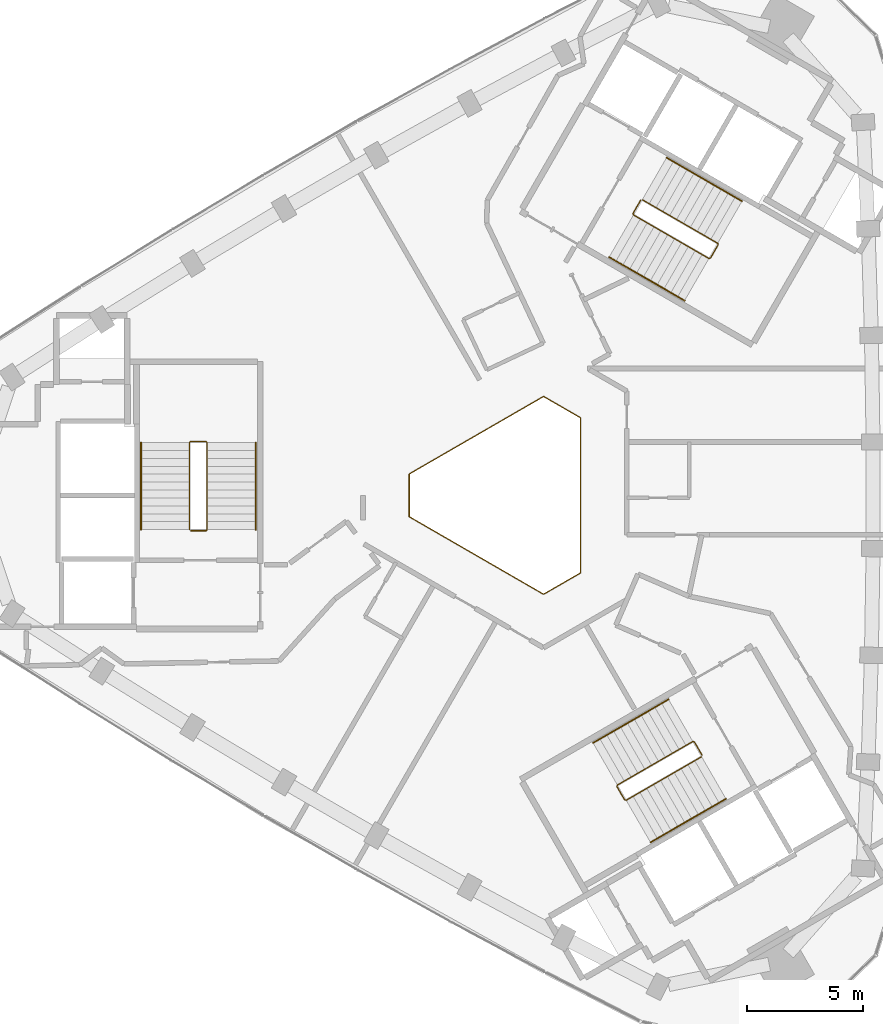
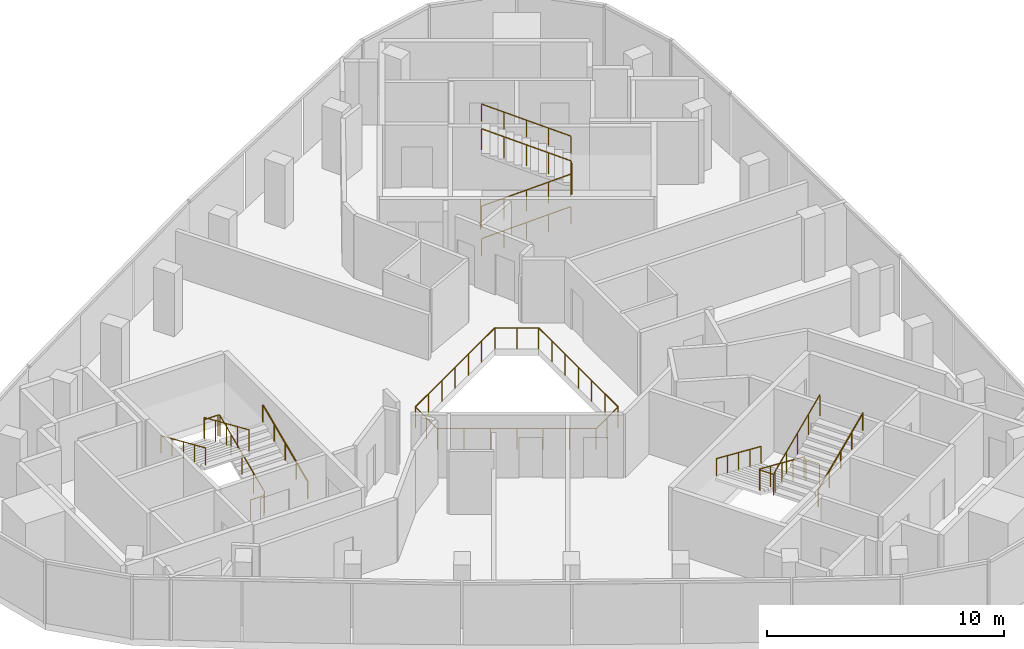
# One storey, part 10 of 10: 10 railings.
"""IFC4 building model written with IfcOpenShell, lengths in metres."""

from ifc_helpers import new_model, si_unit, direction, frame, origin, origin_2d, place, context, subcontext, project, spatial, circle, extrude, material, type_object, element, save


model = new_model("IFC4")

# Units and contexts
model_context = context("Model", 3, precision=1e-05, world=origin(), true_north=direction((0.0, 1.0)))
body_context = subcontext(model_context, "Body", "Model", "MODEL_VIEW")
ifc_project = project(units=[si_unit("LENGTHUNIT", "METRE"), si_unit("AREAUNIT", "SQUARE_METRE"), si_unit("VOLUMEUNIT", "CUBIC_METRE"), si_unit("PLANEANGLEUNIT", "RADIAN"), si_unit("MASSUNIT", "GRAM", prefix="KILO")], contexts=[model_context])

# Site, building, storey
site_placement = place(None, origin())
site = spatial("IfcSite", under=ifc_project, at=site_placement, CompositionType="ELEMENT")
building_placement = place(site_placement, origin())
building = spatial("IfcBuilding", under=site, at=building_placement, Name="Tamra Quay Hotel Tower", CompositionType="ELEMENT")
storey_placement = place(building_placement, frame((0.0, 0.0, 265.800048828125)))
storey = spatial("IfcBuildingStorey", under=building, at=storey_placement, Name="L67", CompositionType="ELEMENT", Elevation=265.800048828125)

# Railings
ifc_material_1 = material(Name="Guard atrium edge 1100")
railing_type_1 = type_object("IfcRailingType", Name="Guard atrium edge 1100", PredefinedType="GUARDRAIL", material=ifc_material_1)
railing_1_placement = place(storey_placement, frame((3.0, -3.34912109375, 0.0)))
element("IfcRailing", 1, at=railing_1_placement, inside=storey, type_object=railing_type_1, Name="G-A", PredefinedType="GUARDRAIL", context=body_context, shape_type="SweptSolid", body=[
    extrude(circle(Radius=0.02392578125, at=origin_2d()), frame((0.0, 0.0, 1.076171875), z_axis=(-0.866251590862, -0.499608027687, 0.0), x_axis=(0.499608027687, -0.866251590862, 0.0)), (0.0, 0.0, 1.0), 1.84716796875),
    extrude(circle(Radius=0.02392578125, at=origin_2d()), frame((-1.60009765625, -0.9228515625, 1.076171875), z_axis=(-0.866065387416, 0.499930739924, 0.0), x_axis=(-0.499930739924, -0.866065387416, 0.0)), (0.0, 0.0, 1.0), 6.69677734375),
    extrude(circle(Radius=0.02392578125, at=origin_2d()), frame((-7.39990234375, 2.425048828125, 1.076171875), z_axis=(0.0, 1.0, 0.0), x_axis=(-1.0, 0.0, 0.0)), (0.0, 0.0, 1.0), 1.84814453125),
    extrude(circle(Radius=0.02392578125, at=origin_2d()), frame((-7.39990234375, 4.273193359375, 1.076171875), z_axis=(0.866065387416, 0.499930739924, 0.0), x_axis=(-0.499930739924, 0.866065387416, 0.0)), (0.0, 0.0, 1.0), 6.69677734375),
    extrude(circle(Radius=0.02392578125, at=origin_2d()), frame((-1.60009765625, 7.62109375, 1.076171875), z_axis=(0.866251590862, -0.499608027687, 0.0), x_axis=(0.499608027687, 0.866251590862, 0.0)), (0.0, 0.0, 1.0), 1.84716796875),
    extrude(circle(Radius=0.02392578125, at=origin_2d()), frame((0.0, 6.6982421875, 1.076171875), z_axis=(0.0, -1.0, 0.0), x_axis=(1.0, 0.0, 0.0)), (0.0, 0.0, 1.0), 6.6982421875),
    extrude(circle(Radius=0.02099609375, at=origin_2d()), origin(), (0.0, 0.0, 1.0), 1.052001953125),
    extrude(circle(Radius=0.02099609375, at=origin_2d()), frame((-0.800048828125, -0.46142578125, 0.0)), (0.0, 0.0, 1.0), 1.052001953125),
    extrude(circle(Radius=0.02099609375, at=origin_2d()), frame((-1.60009765625, -0.9228515625, 0.0)), (0.0, 0.0, 1.0), 1.052001953125),
    extrude(circle(Radius=0.02099609375, at=origin_2d()), frame((-2.566650390625, -0.36474609375, 0.0)), (0.0, 0.0, 1.0), 1.052001953125),
    extrude(circle(Radius=0.02099609375, at=origin_2d()), frame((-3.533447265625, 0.193115234375, 0.0)), (0.0, 0.0, 1.0), 1.052001953125),
    extrude(circle(Radius=0.02099609375, at=origin_2d()), frame((-4.5, 0.7509765625, 0.0)), (0.0, 0.0, 1.0), 1.052001953125),
    extrude(circle(Radius=0.02099609375, at=origin_2d()), frame((-5.466552734375, 1.30908203125, 0.0)), (0.0, 0.0, 1.0), 1.052001953125),
    extrude(circle(Radius=0.02099609375, at=origin_2d()), frame((-6.433349609375, 1.8671875, 0.0)), (0.0, 0.0, 1.0), 1.052001953125),
    extrude(circle(Radius=0.02099609375, at=origin_2d()), frame((-7.39990234375, 2.425048828125, 0.0)), (0.0, 0.0, 1.0), 1.052001953125),
    extrude(circle(Radius=0.02099609375, at=origin_2d()), frame((-7.39990234375, 3.34912109375, 0.0)), (0.0, 0.0, 1.0), 1.052001953125),
    extrude(circle(Radius=0.02099609375, at=origin_2d()), frame((-7.39990234375, 4.273193359375, 0.0)), (0.0, 0.0, 1.0), 1.052001953125),
    extrude(circle(Radius=0.02099609375, at=origin_2d()), frame((-6.433349609375, 4.8310546875, 0.0)), (0.0, 0.0, 1.0), 1.052001953125),
    extrude(circle(Radius=0.02099609375, at=origin_2d()), frame((-5.466552734375, 5.38916015625, 0.0)), (0.0, 0.0, 1.0), 1.052001953125),
    extrude(circle(Radius=0.02099609375, at=origin_2d()), frame((-4.5, 5.947265625, 0.0)), (0.0, 0.0, 1.0), 1.052001953125),
    extrude(circle(Radius=0.02099609375, at=origin_2d()), frame((-3.533447265625, 6.505126953125, 0.0)), (0.0, 0.0, 1.0), 1.052001953125),
    extrude(circle(Radius=0.02099609375, at=origin_2d()), frame((-2.566650390625, 7.06298828125, 0.0)), (0.0, 0.0, 1.0), 1.052001953125),
    extrude(circle(Radius=0.02099609375, at=origin_2d()), frame((-1.60009765625, 7.62109375, 0.0)), (0.0, 0.0, 1.0), 1.052001953125),
    extrude(circle(Radius=0.02099609375, at=origin_2d()), frame((-0.800048828125, 7.15966796875, 0.0)), (0.0, 0.0, 1.0), 1.052001953125),
    extrude(circle(Radius=0.02099609375, at=origin_2d()), frame((0.0, 6.6982421875, 0.0)), (0.0, 0.0, 1.0), 1.052001953125),
    extrude(circle(Radius=0.02099609375, at=origin_2d()), frame((0.0, 5.581787109375, 0.0)), (0.0, 0.0, 1.0), 1.052001953125),
    extrude(circle(Radius=0.02099609375, at=origin_2d()), frame((0.0, 4.465576171875, 0.0)), (0.0, 0.0, 1.0), 1.052001953125),
    extrude(circle(Radius=0.02099609375, at=origin_2d()), frame((0.0, 3.34912109375, 0.0)), (0.0, 0.0, 1.0), 1.052001953125),
    extrude(circle(Radius=0.02099609375, at=origin_2d()), frame((0.0, 2.232666015625, 0.0)), (0.0, 0.0, 1.0), 1.052001953125),
    extrude(circle(Radius=0.02099609375, at=origin_2d()), frame((0.0, 1.116455078125, 0.0)), (0.0, 0.0, 1.0), 1.052001953125),
])
ifc_material_2 = material(Name="Stair guard 1100")
railing_type_2 = type_object("IfcRailingType", Name="Stair guard 1100", PredefinedType="GUARDRAIL", material=ifc_material_2)
railing_2_placement = place(storey_placement, frame((-13.84130859375, -1.530029296875, 0.0)))
element("IfcRailing", 2, at=railing_2_placement, inside=storey, type_object=railing_type_2, Name="GR", PredefinedType="GUARDRAIL", context=body_context, shape_type="SweptSolid", body=[
    extrude(circle(Radius=0.02392578125, at=origin_2d()), frame((0.0, 0.0, 1.076171875), z_axis=(1.0, 0.0, 0.0), x_axis=(0.0, 1.0, 0.0)), (0.0, 0.0, 1.0), 0.658935546875),
    extrude(circle(Radius=0.02392578125, at=origin_2d()), frame((0.658935546875, 0.0, 1.076171875), z_axis=(0.301912943143, 0.301912943143, 0.904266083366), x_axis=(-0.707106781187, 0.707106781187, 0.0)), (0.0, 0.0, 1.0), 0.165771484375),
    extrude(circle(Radius=0.02392578125, at=origin_2d()), frame((0.708984375, 0.050048828125, 1.22607421875), z_axis=(0.0, 0.915773634228, 0.401694723457), x_axis=(-1.0, 0.0, 0.0)), (0.0, 0.0, 1.0), 4.10791015625),
    extrude(circle(Radius=0.02392578125, at=origin_2d()), frame((0.708984375, 3.81201171875, 2.8759765625), z_axis=(-0.708833529934, 0.705375805398, 0.0), x_axis=(-0.705375805398, -0.708833529934, 0.0)), (0.0, 0.0, 1.0), 0.070556640625),
    extrude(circle(Radius=0.02392578125, at=origin_2d()), frame((0.658935546875, 3.86181640625, 2.8759765625), z_axis=(-1.0, 0.0, 0.0), x_axis=(0.0, -1.0, 0.0)), (0.0, 0.0, 1.0), 0.658935546875),
    extrude(circle(Radius=0.02392578125, at=origin_2d()), frame((0.0, 3.86181640625, 2.8759765625), z_axis=(-0.302046947789, -0.300573548044, 0.904667443621), x_axis=(0.705375805398, -0.708833529934, 0.0)), (0.0, 0.0, 1.0), 0.165771484375),
    extrude(circle(Radius=0.02392578125, at=origin_2d()), frame((-0.050048828125, 3.81201171875, 3.02587890625), z_axis=(0.0, -0.915795495799, 0.401644880304), x_axis=(1.0, 0.0, 0.0)), (0.0, 0.0, 1.0), 4.10791015625),
    extrude(circle(Radius=0.02099609375, at=origin_2d()), origin(), (0.0, 0.0, 1.0), 1.052001953125),
    extrude(circle(Radius=0.02099609375, at=origin_2d()), frame((0.658935546875, 0.0, 0.0)), (0.0, 0.0, 1.0), 1.052001953125),
    extrude(circle(Radius=0.02099609375, at=origin_2d()), frame((0.708984375, 0.050048828125, 0.14990234375)), (0.0, 0.0, 1.0), 1.052001953125),
    extrude(circle(Radius=0.02099609375, at=origin_2d()), frame((0.708984375, 0.990478515625, 0.5625)), (0.0, 0.0, 1.0), 1.052001953125),
    extrude(circle(Radius=0.02099609375, at=origin_2d()), frame((0.708984375, 1.93115234375, 0.97509765625)), (0.0, 0.0, 1.0), 1.052001953125),
    extrude(circle(Radius=0.02099609375, at=origin_2d()), frame((0.708984375, 2.87158203125, 1.387451171875)), (0.0, 0.0, 1.0), 1.052001953125),
    extrude(circle(Radius=0.02099609375, at=origin_2d()), frame((0.708984375, 3.81201171875, 1.800048828125)), (0.0, 0.0, 1.0), 1.052001953125),
    extrude(circle(Radius=0.02099609375, at=origin_2d()), frame((0.658935546875, 3.86181640625, 1.800048828125)), (0.0, 0.0, 1.0), 1.052001953125),
    extrude(circle(Radius=0.02099609375, at=origin_2d()), frame((0.0, 3.86181640625, 1.800048828125)), (0.0, 0.0, 1.0), 1.052001953125),
    extrude(circle(Radius=0.02099609375, at=origin_2d()), frame((-0.050048828125, 3.81201171875, 1.949951171875)), (0.0, 0.0, 1.0), 1.052001953125),
    extrude(circle(Radius=0.02099609375, at=origin_2d()), frame((-0.050048828125, 2.87158203125, 2.3623046875)), (0.0, 0.0, 1.0), 1.052001953125),
    extrude(circle(Radius=0.02099609375, at=origin_2d()), frame((-0.050048828125, 1.93115234375, 2.77490234375)), (0.0, 0.0, 1.0), 1.052001953125),
    extrude(circle(Radius=0.02099609375, at=origin_2d()), frame((-0.050048828125, 0.990478515625, 3.1875)), (0.0, 0.0, 1.0), 1.052001953125),
    extrude(circle(Radius=0.02099609375, at=origin_2d()), frame((-0.050048828125, 0.050048828125, 3.599853515625)), (0.0, 0.0, 1.0), 1.052001953125),
])
railing_3_placement = place(storey_placement, frame((5.595458984375, 12.751953125, 0.0)))
element("IfcRailing", 3, at=railing_3_placement, inside=storey, type_object=railing_type_2, Name="GR", PredefinedType="GUARDRAIL", context=body_context, shape_type="SweptSolid", body=[
    extrude(circle(Radius=0.02392578125, at=origin_2d()), frame((0.0, 0.0, 1.076171875), z_axis=(-0.499765215335, -0.866160914346, 0.0), x_axis=(0.866160914346, -0.499765215335, 0.0)), (0.0, 0.0, 1.0), 0.658935546875),
    extrude(circle(Radius=0.02392578125, at=origin_2d()), frame((-0.329345703125, -0.57080078125, 1.076171875), z_axis=(0.110525977783, -0.411156637351, 0.904839338113), x_axis=(0.965715946433, 0.259601060869, 0.0)), (0.0, 0.0, 1.0), 0.165771484375),
    extrude(circle(Radius=0.02392578125, at=origin_2d()), frame((-0.31103515625, -0.638916015625, 1.22607421875), z_axis=(0.79305953016, -0.457922937641, 0.401700342053), x_axis=(0.500040788363, 0.866001853331, 0.0)), (0.0, 0.0, 1.0), 4.10791015625),
    extrude(circle(Radius=0.02392578125, at=origin_2d()), frame((2.94677734375, -2.52001953125, 2.8759765625), z_axis=(0.965948051503, 0.258736085224, 0.0), x_axis=(-0.258736085224, 0.965948051503, 0.0)), (0.0, 0.0, 1.0), 0.07080078125),
    extrude(circle(Radius=0.02392578125, at=origin_2d()), frame((3.01513671875, -2.501708984375, 2.8759765625), z_axis=(0.500043078269, 0.866000531106, 0.0), x_axis=(-0.866000531106, 0.500043078269, 0.0)), (0.0, 0.0, 1.0), 0.6591796875),
    extrude(circle(Radius=0.02392578125, at=origin_2d()), frame((3.3447265625, -1.930908203125, 2.8759765625), z_axis=(-0.110525977783, 0.411156637351, 0.904839338113), x_axis=(-0.965715946433, -0.259601060869, 0.0)), (0.0, 0.0, 1.0), 0.165771484375),
    extrude(circle(Radius=0.02392578125, at=origin_2d()), frame((3.326416015625, -1.86279296875, 3.02587890625), z_axis=(-0.793100512587, 0.457912285461, 0.401631567183), x_axis=(-0.500012686397, -0.866018079166, 0.0)), (0.0, 0.0, 1.0), 4.10791015625),
    extrude(circle(Radius=0.02099609375, at=origin_2d()), origin(), (0.0, 0.0, 1.0), 1.052001953125),
    extrude(circle(Radius=0.02099609375, at=origin_2d()), frame((-0.329345703125, -0.57080078125, 0.0)), (0.0, 0.0, 1.0), 1.052001953125),
    extrude(circle(Radius=0.02099609375, at=origin_2d()), frame((-0.31103515625, -0.638916015625, 0.14990234375)), (0.0, 0.0, 1.0), 1.052001953125),
    extrude(circle(Radius=0.02099609375, at=origin_2d()), frame((0.50341796875, -1.109130859375, 0.5625)), (0.0, 0.0, 1.0), 1.052001953125),
    extrude(circle(Radius=0.02099609375, at=origin_2d()), frame((1.31787109375, -1.57958984375, 0.97509765625)), (0.0, 0.0, 1.0), 1.052001953125),
    extrude(circle(Radius=0.02099609375, at=origin_2d()), frame((2.13232421875, -2.0498046875, 1.387451171875)), (0.0, 0.0, 1.0), 1.052001953125),
    extrude(circle(Radius=0.02099609375, at=origin_2d()), frame((2.94677734375, -2.52001953125, 1.800048828125)), (0.0, 0.0, 1.0), 1.052001953125),
    extrude(circle(Radius=0.02099609375, at=origin_2d()), frame((3.01513671875, -2.501708984375, 1.800048828125)), (0.0, 0.0, 1.0), 1.052001953125),
    extrude(circle(Radius=0.02099609375, at=origin_2d()), frame((3.3447265625, -1.930908203125, 1.800048828125)), (0.0, 0.0, 1.0), 1.052001953125),
    extrude(circle(Radius=0.02099609375, at=origin_2d()), frame((3.326416015625, -1.86279296875, 1.949951171875)), (0.0, 0.0, 1.0), 1.052001953125),
    extrude(circle(Radius=0.02099609375, at=origin_2d()), frame((2.511962890625, -1.392578125, 2.3623046875)), (0.0, 0.0, 1.0), 1.052001953125),
    extrude(circle(Radius=0.02099609375, at=origin_2d()), frame((1.697265625, -0.92236328125, 2.77490234375)), (0.0, 0.0, 1.0), 1.052001953125),
    extrude(circle(Radius=0.02099609375, at=origin_2d()), frame((0.8828125, -0.451904296875, 3.1875)), (0.0, 0.0, 1.0), 1.052001953125),
    extrude(circle(Radius=0.02099609375, at=origin_2d()), frame((0.068359375, 0.018310546875, 3.599853515625)), (0.0, 0.0, 1.0), 1.052001953125),
])
railing_4_placement = place(storey_placement, frame((8.245849609375, -11.221923828125, 0.0)))
element("IfcRailing", 4, at=railing_4_placement, inside=storey, type_object=railing_type_2, Name="GR", PredefinedType="GUARDRAIL", context=body_context, shape_type="SweptSolid", body=[
    extrude(circle(Radius=0.02392578125, at=origin_2d()), frame((0.0, 0.0, 1.076171875), z_axis=(-0.500043078269, 0.866000531106, 0.0), x_axis=(-0.866000531106, -0.500043078269, 0.0)), (0.0, 0.0, 1.0), 0.6591796875),
    extrude(circle(Radius=0.02392578125, at=origin_2d()), frame((-0.32958984375, 0.57080078125, 1.076171875), z_axis=(-0.41238007866, 0.110458949641, 0.904290601062), x_axis=(-0.258736085224, -0.965948051503, 0.0)), (0.0, 0.0, 1.0), 0.165771484375),
    extrude(circle(Radius=0.02392578125, at=origin_2d()), frame((-0.39794921875, 0.589111328125, 1.22607421875), z_axis=(-0.793081581205, -0.457901355053, 0.401681409319), x_axis=(0.500012686397, -0.866018079166, 0.0)), (0.0, 0.0, 1.0), 4.108154296875),
    extrude(circle(Radius=0.02392578125, at=origin_2d()), frame((-3.656005859375, -1.2919921875, 2.8759765625), z_axis=(-0.256368644879, -0.966579080015, 0.0), x_axis=(0.966579080015, -0.256368644879, 0.0)), (0.0, 0.0, 1.0), 0.070556640625),
    extrude(circle(Radius=0.02392578125, at=origin_2d()), frame((-3.674072265625, -1.360107421875, 2.8759765625), z_axis=(0.499765215335, -0.866160914346, 0.0), x_axis=(0.866160914346, 0.499765215335, 0.0)), (0.0, 0.0, 1.0), 0.658935546875),
    extrude(circle(Radius=0.02392578125, at=origin_2d()), frame((-3.3447265625, -1.930908203125, 2.8759765625), z_axis=(0.41238007866, -0.110458949641, 0.904290601062), x_axis=(0.258736085224, 0.965948051503, 0.0)), (0.0, 0.0, 1.0), 0.165771484375),
    extrude(circle(Radius=0.02392578125, at=origin_2d()), frame((-3.2763671875, -1.94921875, 3.02587890625), z_axis=(0.793100512587, 0.457912285461, 0.401631567183), x_axis=(-0.500012686397, 0.866018079166, 0.0)), (0.0, 0.0, 1.0), 4.10791015625),
    extrude(circle(Radius=0.02099609375, at=origin_2d()), origin(), (0.0, 0.0, 1.0), 1.052001953125),
    extrude(circle(Radius=0.02099609375, at=origin_2d()), frame((-0.32958984375, 0.57080078125, 0.0)), (0.0, 0.0, 1.0), 1.052001953125),
    extrude(circle(Radius=0.02099609375, at=origin_2d()), frame((-0.39794921875, 0.589111328125, 0.14990234375)), (0.0, 0.0, 1.0), 1.052001953125),
    extrude(circle(Radius=0.02099609375, at=origin_2d()), frame((-1.21240234375, 0.118896484375, 0.5625)), (0.0, 0.0, 1.0), 1.052001953125),
    extrude(circle(Radius=0.02099609375, at=origin_2d()), frame((-2.02685546875, -0.3515625, 0.97509765625)), (0.0, 0.0, 1.0), 1.052001953125),
    extrude(circle(Radius=0.02099609375, at=origin_2d()), frame((-2.841552734375, -0.82177734375, 1.387451171875)), (0.0, 0.0, 1.0), 1.052001953125),
    extrude(circle(Radius=0.02099609375, at=origin_2d()), frame((-3.656005859375, -1.2919921875, 1.800048828125)), (0.0, 0.0, 1.0), 1.052001953125),
    extrude(circle(Radius=0.02099609375, at=origin_2d()), frame((-3.674072265625, -1.360107421875, 1.800048828125)), (0.0, 0.0, 1.0), 1.052001953125),
    extrude(circle(Radius=0.02099609375, at=origin_2d()), frame((-3.3447265625, -1.930908203125, 1.800048828125)), (0.0, 0.0, 1.0), 1.052001953125),
    extrude(circle(Radius=0.02099609375, at=origin_2d()), frame((-3.2763671875, -1.94921875, 1.949951171875)), (0.0, 0.0, 1.0), 1.052001953125),
    extrude(circle(Radius=0.02099609375, at=origin_2d()), frame((-2.4619140625, -1.47900390625, 2.3623046875)), (0.0, 0.0, 1.0), 1.052001953125),
    extrude(circle(Radius=0.02099609375, at=origin_2d()), frame((-1.6474609375, -1.0087890625, 2.77490234375)), (0.0, 0.0, 1.0), 1.052001953125),
    extrude(circle(Radius=0.02099609375, at=origin_2d()), frame((-0.832763671875, -0.538330078125, 3.1875)), (0.0, 0.0, 1.0), 1.052001953125),
    extrude(circle(Radius=0.02099609375, at=origin_2d()), frame((-0.018310546875, -0.068115234375, 3.599853515625)), (0.0, 0.0, 1.0), 1.052001953125),
])
ifc_material_3 = material(Name="Stair handrail 900")
railing_type_3 = type_object("IfcRailingType", Name="Stair handrail 900", PredefinedType="HANDRAIL", material=ifc_material_3)
railing_5_placement = place(storey_placement, frame((-11.0322265625, -1.47998046875, 0.14990234375)))
element("IfcRailing", 5, at=railing_5_placement, inside=storey, type_object=railing_type_3, Name="HR", PredefinedType="HANDRAIL", context=body_context, shape_type="SweptSolid", body=[
    extrude(circle(Radius=0.02392578125, at=origin_2d()), frame((0.0, 0.0, 0.8759765625), z_axis=(0.0, 0.915773634228, 0.401694723457), x_axis=(-1.0, 0.0, 0.0)), (0.0, 0.0, 1.0), 4.10791015625),
    extrude(circle(Radius=0.02099609375, at=origin_2d()), origin(), (0.0, 0.0, 1.0), 0.851806640625),
    extrude(circle(Radius=0.02099609375, at=origin_2d()), frame((0.0, 0.9404296875, 0.41259765625)), (0.0, 0.0, 1.0), 0.851806640625),
    extrude(circle(Radius=0.02099609375, at=origin_2d()), frame((0.0, 1.880859375, 0.8251953125)), (0.0, 0.0, 1.0), 0.851806640625),
    extrude(circle(Radius=0.02099609375, at=origin_2d()), frame((0.0, 2.821533203125, 1.237548828125)), (0.0, 0.0, 1.0), 0.851806640625),
    extrude(circle(Radius=0.02099609375, at=origin_2d()), frame((0.0, 3.761962890625, 1.650146484375)), (0.0, 0.0, 1.0), 0.851806640625),
])
railing_6_placement = place(storey_placement, frame((-15.9912109375, 2.281982421875, 1.949951171875)))
element("IfcRailing", 6, at=railing_6_placement, inside=storey, type_object=railing_type_3, Name="HR", PredefinedType="HANDRAIL", context=body_context, shape_type="SweptSolid", body=[
    extrude(circle(Radius=0.02392578125, at=origin_2d()), frame((0.0, 0.0, 0.8759765625), z_axis=(0.0, -0.915795495799, 0.401644880304), x_axis=(1.0, 0.0, 0.0)), (0.0, 0.0, 1.0), 4.10791015625),
    extrude(circle(Radius=0.02099609375, at=origin_2d()), origin(), (0.0, 0.0, 1.0), 0.851806640625),
    extrude(circle(Radius=0.02099609375, at=origin_2d()), frame((0.0, -0.9404296875, 0.41259765625)), (0.0, 0.0, 1.0), 0.851806640625),
    extrude(circle(Radius=0.02099609375, at=origin_2d()), frame((0.0, -1.880859375, 0.824951171875)), (0.0, 0.0, 1.0), 0.851806640625),
    extrude(circle(Radius=0.02099609375, at=origin_2d()), frame((0.0, -2.821533203125, 1.2373046875)), (0.0, 0.0, 1.0), 0.851806640625),
    extrude(circle(Radius=0.02099609375, at=origin_2d()), frame((0.0, -3.761962890625, 1.64990234375)), (0.0, 0.0, 1.0), 0.851806640625),
])
railing_7_placement = place(storey_placement, frame((4.234375, 10.294189453125, 0.14990234375)))
element("IfcRailing", 7, at=railing_7_placement, inside=storey, type_object=railing_type_3, Name="HR", PredefinedType="HANDRAIL", context=body_context, shape_type="SweptSolid", body=[
    extrude(circle(Radius=0.02392578125, at=origin_2d()), frame((0.0, 0.0, 0.8759765625), z_axis=(0.793103162556, -0.457854384738, 0.401692339881), x_axis=(0.499964013922, 0.86604617936, 0.0)), (0.0, 0.0, 1.0), 4.10791015625),
    extrude(circle(Radius=0.02099609375, at=origin_2d()), origin(), (0.0, 0.0, 1.0), 0.851806640625),
    extrude(circle(Radius=0.02099609375, at=origin_2d()), frame((0.814453125, -0.47021484375, 0.41259765625)), (0.0, 0.0, 1.0), 0.851806640625),
    extrude(circle(Radius=0.02099609375, at=origin_2d()), frame((1.62890625, -0.9404296875, 0.8251953125)), (0.0, 0.0, 1.0), 0.851806640625),
    extrude(circle(Radius=0.02099609375, at=origin_2d()), frame((2.443603515625, -1.41064453125, 1.237548828125)), (0.0, 0.0, 1.0), 0.851806640625),
    extrude(circle(Radius=0.02099609375, at=origin_2d()), frame((3.258056640625, -1.880859375, 1.650146484375)), (0.0, 0.0, 1.0), 0.851806640625),
])
railing_8_placement = place(storey_placement, frame((9.971923828125, 12.7080078125, 1.949951171875)))
element("IfcRailing", 8, at=railing_8_placement, inside=storey, type_object=railing_type_3, Name="HR", PredefinedType="HANDRAIL", context=body_context, shape_type="SweptSolid", body=[
    extrude(circle(Radius=0.02392578125, at=origin_2d()), frame((0.0, 0.0, 0.8759765625), z_axis=(-0.793122095483, 0.45786531462, 0.401642496911), x_axis=(-0.499964013922, -0.86604617936, 0.0)), (0.0, 0.0, 1.0), 4.10791015625),
    extrude(circle(Radius=0.02099609375, at=origin_2d()), origin(), (0.0, 0.0, 1.0), 0.851806640625),
    extrude(circle(Radius=0.02099609375, at=origin_2d()), frame((-0.814453125, 0.47021484375, 0.41259765625)), (0.0, 0.0, 1.0), 0.851806640625),
    extrude(circle(Radius=0.02099609375, at=origin_2d()), frame((-1.62890625, 0.9404296875, 0.824951171875)), (0.0, 0.0, 1.0), 0.851806640625),
    extrude(circle(Radius=0.02099609375, at=origin_2d()), frame((-2.443603515625, 1.41064453125, 1.2373046875)), (0.0, 0.0, 1.0), 0.851806640625),
    extrude(circle(Radius=0.02099609375, at=origin_2d()), frame((-3.258056640625, 1.880859375, 1.64990234375)), (0.0, 0.0, 1.0), 0.851806640625),
])
railing_9_placement = place(storey_placement, frame((6.7978515625, -8.814208984375, 0.14990234375)))
element("IfcRailing", 9, at=railing_9_placement, inside=storey, type_object=railing_type_3, Name="HR", PredefinedType="HANDRAIL", context=body_context, shape_type="SweptSolid", body=[
    extrude(circle(Radius=0.02392578125, at=origin_2d()), frame((0.0, 0.0, 0.8759765625), z_axis=(-0.793081112945, -0.457875966286, 0.40171127416), x_axis=(0.499992114976, -0.866029956157, 0.0)), (0.0, 0.0, 1.0), 4.10791015625),
    extrude(circle(Radius=0.02099609375, at=origin_2d()), origin(), (0.0, 0.0, 1.0), 0.851806640625),
    extrude(circle(Radius=0.02099609375, at=origin_2d()), frame((-0.814453125, -0.47021484375, 0.41259765625)), (0.0, 0.0, 1.0), 0.851806640625),
    extrude(circle(Radius=0.02099609375, at=origin_2d()), frame((-1.62890625, -0.9404296875, 0.8251953125)), (0.0, 0.0, 1.0), 0.851806640625),
    extrude(circle(Radius=0.02099609375, at=origin_2d()), frame((-2.443359375, -1.41064453125, 1.237548828125)), (0.0, 0.0, 1.0), 0.851806640625),
    extrude(circle(Radius=0.02099609375, at=origin_2d()), frame((-3.2578125, -1.880859375, 1.650146484375)), (0.0, 0.0, 1.0), 0.851806640625),
])
railing_10_placement = place(storey_placement, frame((6.01953125, -14.98974609375, 1.949951171875)))
element("IfcRailing", 10, at=railing_10_placement, inside=storey, type_object=railing_type_3, Name="HR", PredefinedType="HANDRAIL", context=body_context, shape_type="SweptSolid", body=[
    extrude(circle(Radius=0.02392578125, at=origin_2d()), frame((0.0, 0.0, 0.8759765625), z_axis=(0.79310004713, 0.457886897714, 0.401661429744), x_axis=(-0.499992114976, 0.866029956157, 0.0)), (0.0, 0.0, 1.0), 4.107666015625),
    extrude(circle(Radius=0.02099609375, at=origin_2d()), origin(), (0.0, 0.0, 1.0), 0.851806640625),
    extrude(circle(Radius=0.02099609375, at=origin_2d()), frame((0.814453125, 0.47021484375, 0.41259765625)), (0.0, 0.0, 1.0), 0.851806640625),
    extrude(circle(Radius=0.02099609375, at=origin_2d()), frame((1.62890625, 0.9404296875, 0.824951171875)), (0.0, 0.0, 1.0), 0.851806640625),
    extrude(circle(Radius=0.02099609375, at=origin_2d()), frame((2.443359375, 1.41064453125, 1.2373046875)), (0.0, 0.0, 1.0), 0.851806640625),
    extrude(circle(Radius=0.02099609375, at=origin_2d()), frame((3.2578125, 1.880859375, 1.64990234375)), (0.0, 0.0, 1.0), 0.851806640625),
])

save(model, "model.ifc")
